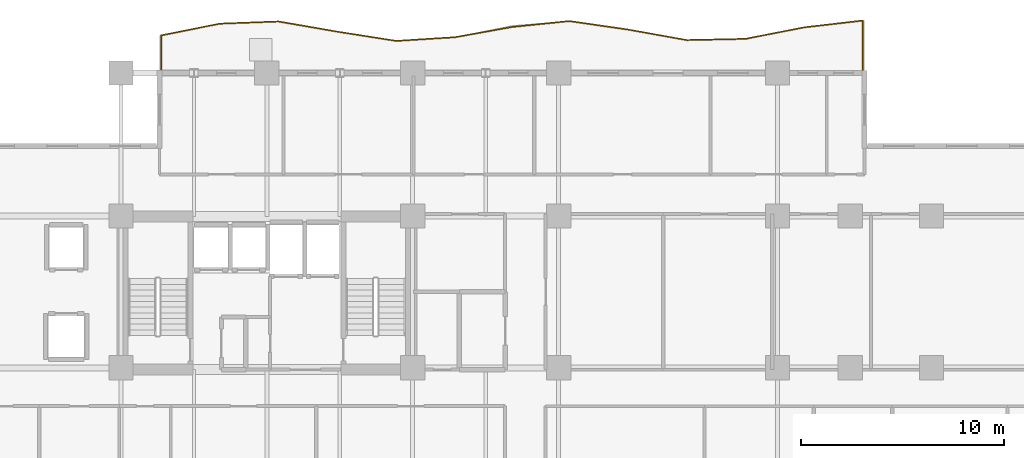
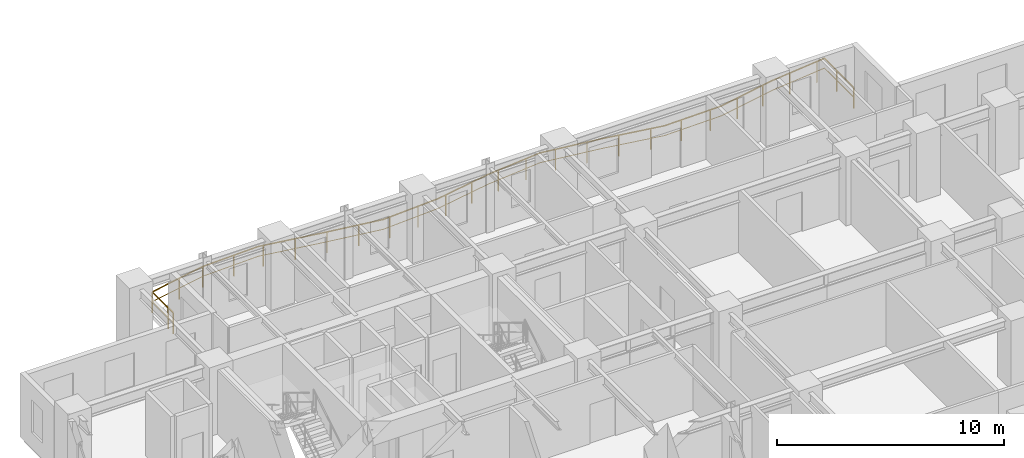
# One storey, part 11 of 11: 1 railing.
"""IFC4 building model written with IfcOpenShell, lengths in metres."""

import ifcopenshell
import ifcopenshell.guid

model = None  # the IFC model being written
_history = None  # IfcOwnerHistory: only IFC2X3 demands one
_inside = {}  # id of a spatial element -> (the spatial element, [elements in it])
_under = {}  # id of a project, library or spatial element -> (it, [spatial elements below it])
_declared = {}  # id of a project -> (the project, [libraries it declares])
_typed = {}  # id of a type object -> (the type object, [elements of that type])
_made_of = {}  # id of a material, layer set ... -> (it, [elements and type objects made of it])


def new_model(schema):
    """Start an empty IFC model of exactly this schema.

    Asked for "IFC4X3", IfcOpenShell would pick the latest addendum, in which some entities
    have other attributes; the version numbers below select the first issue.
    IFC2X3 requires an IfcOwnerHistory on every rooted entity: one is made here for all.
    """
    global model, _history
    if schema == "IFC4X3":
        model = ifcopenshell.file(schema_version=(4, 3, 0, 0))
    else:
        model = ifcopenshell.file(schema=schema)
    _inside.clear()
    _under.clear()
    _declared.clear()
    _typed.clear()
    _made_of.clear()
    _history = None
    if model.schema == "IFC2X3":
        org = make("IfcOrganization", Name="unknown")
        user = make(
            "IfcPersonAndOrganization",
            ThePerson=make("IfcPerson", FamilyName="unknown"),
            TheOrganization=org,
        )
        app = make(
            "IfcApplication",
            ApplicationDeveloper=org,
            Version="unknown",
            ApplicationFullName="unknown",
            ApplicationIdentifier="unknown",
        )
        _history = make(
            "IfcOwnerHistory",
            OwningUser=user,
            OwningApplication=app,
            ChangeAction="ADDED",
            CreationDate=0,
        )
    return model


def make(cls, **values):
    """One entity of the class cls with the attributes given. An attribute that is None is left unset."""
    return model.create_entity(
        cls, **{name: value for name, value in values.items() if value is not None}
    )


def rooted(cls, **values):
    """An entity with a GlobalId (a new one), such as an element, a storey or a relation."""
    return make(cls, GlobalId=ifcopenshell.guid.new(), OwnerHistory=_history, **values)


def si_unit(unit_type, name, prefix=None):
    """IfcSIUnit, for example si_unit("LENGTHUNIT", "METRE", prefix="MILLI")."""
    return make("IfcSIUnit", UnitType=unit_type, Prefix=prefix, Name=name)


def assignment(units):
    """IfcUnitAssignment: the units of a project."""
    return None if units is None else make("IfcUnitAssignment", Units=units)


def point(xyz):
    """IfcCartesianPoint."""
    return None if xyz is None else make("IfcCartesianPoint", Coordinates=xyz)


def direction(xyz):
    """IfcDirection."""
    return None if xyz is None else make("IfcDirection", DirectionRatios=xyz)


def frame(location, z_axis=None, x_axis=None):
    """IfcAxis2Placement3D, a coordinate frame: its origin and axes. An axis left out is left unset."""
    return make(
        "IfcAxis2Placement3D",
        Location=point(location),
        Axis=direction(z_axis),
        RefDirection=direction(x_axis),
    )


def frame_2d(location, x_axis=None):
    """IfcAxis2Placement2D, a coordinate frame in the plane: its origin and x axis."""
    return make(
        "IfcAxis2Placement2D", Location=point(location), RefDirection=direction(x_axis)
    )


def origin():
    """The frame at (0, 0, 0) with its axes left unset."""
    return frame((0.0, 0.0, 0.0))


def origin_2d():
    """The frame at (0, 0) in the plane with its x axis left unset."""
    return frame_2d((0.0, 0.0))


def place(relative_to, where):
    """IfcLocalPlacement: puts the frame where relative to a parent placement (None: the world)."""
    return make(
        "IfcLocalPlacement", PlacementRelTo=relative_to, RelativePlacement=where
    )


def context(
    kind, dimensions, precision=None, world=None, true_north=None, identifier=None
):
    """IfcGeometricRepresentationContext, for example the 3D "Model" context."""
    return make(
        "IfcGeometricRepresentationContext",
        ContextIdentifier=identifier,
        ContextType=kind,
        CoordinateSpaceDimension=dimensions,
        Precision=precision,
        WorldCoordinateSystem=world,
        TrueNorth=true_north,
    )


def subcontext(parent, identifier, kind, view, scale=None):
    """IfcGeometricRepresentationSubContext, for example "Body" below "Model"."""
    return make(
        "IfcGeometricRepresentationSubContext",
        ContextIdentifier=identifier,
        ContextType=kind,
        ParentContext=parent,
        TargetScale=scale,
        TargetView=view,
    )


def project(units=None, contexts=None):
    """IfcProject with its units and contexts."""
    return rooted(
        "IfcProject",
        Name="project",
        RepresentationContexts=contexts,
        UnitsInContext=assignment(units),
    )


def spatial(cls, under=None, at=None, **own):
    """A site, building, storey or space (cls), placed at a placement, below another one or the project."""
    s = rooted(cls, ObjectPlacement=at, **own)
    if under is not None:
        _under.setdefault(under.id(), (under, []))[1].append(s)
    return s


def profile(cls, at=None, kind="AREA", **sizes):
    """A parametric profile (cls). Its sizes go by their IFC names, for example OverallWidth=200.0."""
    return make(cls, ProfileType=kind, Position=at, **sizes)


def rectangle(**sizes):
    """IfcRectangleProfileDef."""
    return profile("IfcRectangleProfileDef", **sizes)


def extrude(swept, where, along, depth):
    """IfcExtrudedAreaSolid: the profile swept, set in the frame where, extruded along a direction by depth."""
    return make(
        "IfcExtrudedAreaSolid",
        SweptArea=swept,
        Position=where,
        ExtrudedDirection=direction(along),
        Depth=depth,
    )


def shape(context_of_items, identifier, shape_type, items):
    """IfcShapeRepresentation: the items that make up one representation, for example the "Body"."""
    return make(
        "IfcShapeRepresentation",
        ContextOfItems=context_of_items,
        RepresentationIdentifier=identifier,
        RepresentationType=shape_type,
        Items=items,
    )


def material(Name=None, Category=None):
    """IfcMaterial."""
    return make("IfcMaterial", Name=Name, Category=Category)


def made_of(thing, what):
    """Note that an element or type object is made of a material, layer set ...; save() writes the relation."""
    if what is not None:
        _made_of.setdefault(what.id(), (what, []))[1].append(thing)
    return thing


def type_object(cls, material=None, **own):
    """A type object (cls), such as IfcWallType, which elements share."""
    return made_of(rooted(cls, **own), material)


def element(
    cls,
    number,
    at=None,
    inside=None,
    cuts=None,
    type_object=None,
    material=None,
    context=None,
    identifier="Body",
    shape_type=None,
    held_by="IfcProductDefinitionShape",
    body=None,
    shapes=None,
    **own,
):
    """One element of the class cls, such as IfcWall. Its Tag is "e" and its number.

    at: its placement. inside: the storey or other place that contains it. cuts: it is an
    opening in that element (IfcRelVoidsElement). A single representation is given by context,
    identifier, shape_type and body (its items); several are given by shapes. held_by: the class
    of the entity that holds the representations. save() writes the other relations.
    """
    e = rooted(cls, Tag="e%d" % number, ObjectPlacement=at, **own)
    if body is not None:
        shapes = [shape(context, identifier, shape_type, body)]
    if shapes is not None:
        e.Representation = make(held_by, Representations=shapes)
    if inside is not None:
        _inside.setdefault(inside.id(), (inside, []))[1].append(e)
    if cuts is not None:
        rooted(
            "IfcRelVoidsElement", RelatingBuildingElement=cuts, RelatedOpeningElement=e
        )
    if type_object is not None:
        _typed.setdefault(type_object.id(), (type_object, []))[1].append(e)
    return made_of(e, material)


def aggregate(whole, parts):
    """IfcRelAggregates: a whole, such as a stair, and the parts it consists of."""
    return rooted("IfcRelAggregates", RelatingObject=whole, RelatedObjects=parts)


def save(model, path):
    """Write the relations noted so far, then the file.

    IfcRelAggregates (storeys below a building ...), IfcRelContainedInSpatialStructure (elements
    in a storey), IfcRelDefinesByType, IfcRelAssociatesMaterial and IfcRelDeclares: one each for
    every whole, place, type object, material and project.
    """
    for whole, parts in _under.values():
        aggregate(whole, parts)
    for where, things in _inside.values():
        rooted(
            "IfcRelContainedInSpatialStructure",
            RelatedElements=things,
            RelatingStructure=where,
        )
    for kind, things in _typed.values():
        rooted("IfcRelDefinesByType", RelatedObjects=things, RelatingType=kind)
    for what, things in _made_of.values():
        rooted("IfcRelAssociatesMaterial", RelatedObjects=things, RelatingMaterial=what)
    for by, libraries in _declared.values():
        rooted("IfcRelDeclares", RelatingContext=by, RelatedDefinitions=libraries)
    model.write(path)


model = new_model("IFC4")

# Units and contexts
model_context = context("Model", 3, precision=1e-05, world=origin(), true_north=direction((0.0, 1.0)))
body_context = subcontext(model_context, "Body", "Model", "MODEL_VIEW")
ifc_project = project(units=[si_unit("LENGTHUNIT", "METRE"), si_unit("AREAUNIT", "SQUARE_METRE"), si_unit("VOLUMEUNIT", "CUBIC_METRE"), si_unit("PLANEANGLEUNIT", "RADIAN"), si_unit("MASSUNIT", "GRAM", prefix="KILO")], contexts=[model_context])

# Site, building, storey
site_placement = place(None, origin())
site = spatial("IfcSite", under=ifc_project, at=site_placement, CompositionType="ELEMENT")
building_placement = place(site_placement, origin())
building = spatial("IfcBuilding", under=site, at=building_placement, Name="Kaliganga Portal Commons", CompositionType="ELEMENT")
storey_placement = place(building_placement, frame((0.0, 0.0, 111.89990234375)))
storey = spatial("IfcBuildingStorey", under=building, at=storey_placement, Name="L28", CompositionType="ELEMENT", Elevation=111.89990234375)

# Railing
ifc_material = material(Name="Laminated Safety Glass and Stainless Steel 316", Category="steel")
railing_type = type_object("IfcRailingType", Name="RLG-BAL-1150", PredefinedType="BALUSTRADE", material=ifc_material)
railing_placement = place(storey_placement, frame((51.0205078125, 43.20849609375, 0.0)))
element("IfcRailing", 1, at=railing_placement, inside=storey, type_object=railing_type, Name="Balcony Guardrail L28 balc_north", PredefinedType="BALUSTRADE", context=body_context, shape_type="SweptSolid", body=[
    extrude(rectangle(XDim=0.048095703125, YDim=0.048095703125, at=origin_2d()), frame((0.0, 0.0, 1.1259765625), z_axis=(-0.000188679242, 0.9999999822, 0.0), x_axis=(-0.9999999822, -0.000188679242, 0.0)), (0.0, 0.0, 1.0), 2.587890625),
    extrude(rectangle(XDim=0.028076171875, YDim=0.028076171875, at=origin_2d()), frame((0.0, 0.0, 0.597900390625), z_axis=(-0.000188679242, 0.9999999822, 0.0), x_axis=(-0.9999999822, -0.000188679242, 0.0)), (0.0, 0.0, 1.0), 2.587890625),
    extrude(rectangle(XDim=0.048095703125, YDim=0.048095703125, at=origin_2d()), frame((-0.00048828125, 2.587890625, 1.1259765625), z_axis=(-0.993356824313, -0.115074843429, 0.0), x_axis=(0.115074843429, -0.993356824313, 0.0)), (0.0, 0.0, 1.0), 2.919189453125),
    extrude(rectangle(XDim=0.028076171875, YDim=0.028076171875, at=origin_2d()), frame((-0.00048828125, 2.587890625, 0.597900390625), z_axis=(-0.993356824313, -0.115074843429, 0.0), x_axis=(0.115074843429, -0.993356824313, 0.0)), (0.0, 0.0, 1.0), 2.919189453125),
    extrude(rectangle(XDim=0.048095703125, YDim=0.048095703125, at=origin_2d()), frame((-2.900390625, 2.251953125, 1.1259765625), z_axis=(-0.981301513989, -0.192476852226, 0.0), x_axis=(0.192476852226, -0.981301513989, 0.0)), (0.0, 0.0, 1.0), 2.955322265625),
    extrude(rectangle(XDim=0.028076171875, YDim=0.028076171875, at=origin_2d()), frame((-2.900390625, 2.251953125, 0.597900390625), z_axis=(-0.981301513989, -0.192476852226, 0.0), x_axis=(0.192476852226, -0.981301513989, 0.0)), (0.0, 0.0, 1.0), 2.955322265625),
    extrude(rectangle(XDim=0.048095703125, YDim=0.048095703125, at=origin_2d()), frame((-5.800537109375, 1.68310546875, 1.1259765625), z_axis=(-0.999778578842, -0.021042654042, 0.0), x_axis=(0.021042654042, -0.999778578842, 0.0)), (0.0, 0.0, 1.0), 2.900634765625),
    extrude(rectangle(XDim=0.028076171875, YDim=0.028076171875, at=origin_2d()), frame((-5.800537109375, 1.68310546875, 0.597900390625), z_axis=(-0.999778578842, -0.021042654042, 0.0), x_axis=(0.021042654042, -0.999778578842, 0.0)), (0.0, 0.0, 1.0), 2.900634765625),
    extrude(rectangle(XDim=0.048095703125, YDim=0.048095703125, at=origin_2d()), frame((-8.700439453125, 1.6220703125, 1.1259765625), z_axis=(-0.98412606857, 0.177470789601, 0.0), x_axis=(-0.177470789601, -0.98412606857, 0.0)), (0.0, 0.0, 1.0), 2.94677734375),
    extrude(rectangle(XDim=0.028076171875, YDim=0.028076171875, at=origin_2d()), frame((-8.700439453125, 1.6220703125, 0.597900390625), z_axis=(-0.98412606857, 0.177470789601, 0.0), x_axis=(-0.177470789601, -0.98412606857, 0.0)), (0.0, 0.0, 1.0), 2.94677734375),
    extrude(rectangle(XDim=0.048095703125, YDim=0.048095703125, at=origin_2d()), frame((-11.600341796875, 2.14501953125, 1.1259765625), z_axis=(-0.989896041483, 0.141795017739, 0.0), x_axis=(-0.141795017739, -0.989896041483, 0.0)), (0.0, 0.0, 1.0), 2.927001953125),
    extrude(rectangle(XDim=0.028076171875, YDim=0.028076171875, at=origin_2d()), frame((-11.600341796875, 2.14501953125, 0.597900390625), z_axis=(-0.989896041483, 0.141795017739, 0.0), x_axis=(-0.141795017739, -0.989896041483, 0.0)), (0.0, 0.0, 1.0), 2.927001953125),
    extrude(rectangle(XDim=0.048095703125, YDim=0.048095703125, at=origin_2d()), frame((-14.497802734375, 2.56005859375, 1.1259765625), z_axis=(-0.994806264144, -0.101786525729, 0.0), x_axis=(0.101786525729, -0.994806264144, 0.0)), (0.0, 0.0, 1.0), 2.83740234375),
    extrude(rectangle(XDim=0.028076171875, YDim=0.028076171875, at=origin_2d()), frame((-14.497802734375, 2.56005859375, 0.597900390625), z_axis=(-0.994806264144, -0.101786525729, 0.0), x_axis=(0.101786525729, -0.994806264144, 0.0)), (0.0, 0.0, 1.0), 2.83740234375),
    extrude(rectangle(XDim=0.048095703125, YDim=0.048095703125, at=origin_2d()), frame((-17.320556640625, 2.271240234375, 1.1259765625), z_axis=(-0.98412652958, -0.17746823315, 0.0), x_axis=(0.17746823315, -0.98412652958, 0.0)), (0.0, 0.0, 1.0), 2.865478515625),
    extrude(rectangle(XDim=0.028076171875, YDim=0.028076171875, at=origin_2d()), frame((-17.320556640625, 2.271240234375, 0.597900390625), z_axis=(-0.98412652958, -0.17746823315, 0.0), x_axis=(0.17746823315, -0.98412652958, 0.0)), (0.0, 0.0, 1.0), 2.865478515625),
    extrude(rectangle(XDim=0.048095703125, YDim=0.048095703125, at=origin_2d()), frame((-20.140625, 1.7626953125, 1.1259765625), z_axis=(-0.998059764727, -0.062263199669, 0.0), x_axis=(0.062263199669, -0.998059764727, 0.0)), (0.0, 0.0, 1.0), 2.905517578125),
    extrude(rectangle(XDim=0.028076171875, YDim=0.028076171875, at=origin_2d()), frame((-20.140625, 1.7626953125, 0.597900390625), z_axis=(-0.998059764727, -0.062263199669, 0.0), x_axis=(0.062263199669, -0.998059764727, 0.0)), (0.0, 0.0, 1.0), 2.905517578125),
    extrude(rectangle(XDim=0.048095703125, YDim=0.048095703125, at=origin_2d()), frame((-23.04052734375, 1.581787109375, 1.1259765625), z_axis=(-0.9877818378, 0.155843000845, 0.0), x_axis=(-0.155843000845, -0.9877818378, 0.0)), (0.0, 0.0, 1.0), 2.935791015625),
    extrude(rectangle(XDim=0.028076171875, YDim=0.028076171875, at=origin_2d()), frame((-23.04052734375, 1.581787109375, 0.597900390625), z_axis=(-0.9877818378, 0.155843000845, 0.0), x_axis=(-0.155843000845, -0.9877818378, 0.0)), (0.0, 0.0, 1.0), 2.935791015625),
    extrude(rectangle(XDim=0.048095703125, YDim=0.048095703125, at=origin_2d()), frame((-25.9404296875, 2.039306640625, 1.1259765625), z_axis=(-0.985324763946, 0.170690097997, 0.0), x_axis=(-0.170690097997, -0.985324763946, 0.0)), (0.0, 0.0, 1.0), 2.943603515625),
    extrude(rectangle(XDim=0.028076171875, YDim=0.028076171875, at=origin_2d()), frame((-25.9404296875, 2.039306640625, 0.597900390625), z_axis=(-0.985324763946, 0.170690097997, 0.0), x_axis=(-0.170690097997, -0.985324763946, 0.0)), (0.0, 0.0, 1.0), 2.943603515625),
    extrude(rectangle(XDim=0.048095703125, YDim=0.048095703125, at=origin_2d()), frame((-28.8408203125, 2.541748046875, 1.1259765625), z_axis=(-0.999292645016, -0.037605978475, 0.0), x_axis=(0.037605978475, -0.999292645016, 0.0)), (0.0, 0.0, 1.0), 2.90185546875),
    extrude(rectangle(XDim=0.028076171875, YDim=0.028076171875, at=origin_2d()), frame((-28.8408203125, 2.541748046875, 0.597900390625), z_axis=(-0.999292645016, -0.037605978475, 0.0), x_axis=(0.037605978475, -0.999292645016, 0.0)), (0.0, 0.0, 1.0), 2.90185546875),
    extrude(rectangle(XDim=0.048095703125, YDim=0.048095703125, at=origin_2d()), frame((-31.74072265625, 2.4326171875, 1.1259765625), z_axis=(-0.980621932886, -0.195909736213, 0.0), x_axis=(0.195909736213, -0.980621932886, 0.0)), (0.0, 0.0, 1.0), 2.957275390625),
    extrude(rectangle(XDim=0.028076171875, YDim=0.028076171875, at=origin_2d()), frame((-31.74072265625, 2.4326171875, 0.597900390625), z_axis=(-0.980621932886, -0.195909736213, 0.0), x_axis=(0.195909736213, -0.980621932886, 0.0)), (0.0, 0.0, 1.0), 2.957275390625),
    extrude(rectangle(XDim=0.048095703125, YDim=0.048095703125, at=origin_2d()), frame((-34.640625, 1.853271484375, 1.1259765625), z_axis=(-0.000131734948, -0.999999991323, 0.0), x_axis=(0.999999991323, -0.000131734948, 0.0)), (0.0, 0.0, 1.0), 1.853271484375),
    extrude(rectangle(XDim=0.028076171875, YDim=0.028076171875, at=origin_2d()), frame((-34.640625, 1.853271484375, 0.597900390625), z_axis=(-0.000131734948, -0.999999991323, 0.0), x_axis=(0.999999991323, -0.000131734948, 0.0)), (0.0, 0.0, 1.0), 1.853271484375),
    extrude(rectangle(XDim=0.0419921875, YDim=0.0419921875, at=origin_2d()), origin(), (0.0, 0.0, 1.0), 1.101806640625),
    extrude(rectangle(XDim=0.0419921875, YDim=0.0419921875, at=origin_2d()), frame((-0.000244140625, 1.5, 0.0)), (0.0, 0.0, 1.0), 1.101806640625),
    extrude(rectangle(XDim=0.0419921875, YDim=0.0419921875, at=origin_2d()), frame((-0.409912109375, 2.54052734375, 0.0)), (0.0, 0.0, 1.0), 1.101806640625),
    extrude(rectangle(XDim=0.0419921875, YDim=0.0419921875, at=origin_2d()), frame((-1.89990234375, 2.367919921875, 0.0)), (0.0, 0.0, 1.0), 1.101806640625),
    extrude(rectangle(XDim=0.0419921875, YDim=0.0419921875, at=origin_2d()), frame((-3.384033203125, 2.156982421875, 0.0)), (0.0, 0.0, 1.0), 1.101806640625),
    extrude(rectangle(XDim=0.0419921875, YDim=0.0419921875, at=origin_2d()), frame((-4.85595703125, 1.868408203125, 0.0)), (0.0, 0.0, 1.0), 1.101806640625),
    extrude(rectangle(XDim=0.0419921875, YDim=0.0419921875, at=origin_2d()), frame((-6.337890625, 1.671875, 0.0)), (0.0, 0.0, 1.0), 1.101806640625),
    extrude(rectangle(XDim=0.0419921875, YDim=0.0419921875, at=origin_2d()), frame((-7.83740234375, 1.64013671875, 0.0)), (0.0, 0.0, 1.0), 1.101806640625),
    extrude(rectangle(XDim=0.0419921875, YDim=0.0419921875, at=origin_2d()), frame((-9.3271484375, 1.735107421875, 0.0)), (0.0, 0.0, 1.0), 1.101806640625),
    extrude(rectangle(XDim=0.0419921875, YDim=0.0419921875, at=origin_2d()), frame((-10.803466796875, 2.001220703125, 0.0)), (0.0, 0.0, 1.0), 1.101806640625),
    extrude(rectangle(XDim=0.0419921875, YDim=0.0419921875, at=origin_2d()), frame((-12.283447265625, 2.242919921875, 0.0)), (0.0, 0.0, 1.0), 1.101806640625),
    extrude(rectangle(XDim=0.0419921875, YDim=0.0419921875, at=origin_2d()), frame((-13.768310546875, 2.45556640625, 0.0)), (0.0, 0.0, 1.0), 1.101806640625),
    extrude(rectangle(XDim=0.0419921875, YDim=0.0419921875, at=origin_2d()), frame((-15.257080078125, 2.482421875, 0.0)), (0.0, 0.0, 1.0), 1.101806640625),
    extrude(rectangle(XDim=0.0419921875, YDim=0.0419921875, at=origin_2d()), frame((-16.749267578125, 2.32958984375, 0.0)), (0.0, 0.0, 1.0), 1.101806640625),
    extrude(rectangle(XDim=0.0419921875, YDim=0.0419921875, at=origin_2d()), frame((-18.2314453125, 2.10693359375, 0.0)), (0.0, 0.0, 1.0), 1.101806640625),
    extrude(rectangle(XDim=0.0419921875, YDim=0.0419921875, at=origin_2d()), frame((-19.707763671875, 1.8408203125, 0.0)), (0.0, 0.0, 1.0), 1.101806640625),
    extrude(rectangle(XDim=0.0419921875, YDim=0.0419921875, at=origin_2d()), frame((-21.19873046875, 1.69677734375, 0.0)), (0.0, 0.0, 1.0), 1.101806640625),
    extrude(rectangle(XDim=0.0419921875, YDim=0.0419921875, at=origin_2d()), frame((-22.69580078125, 1.603271484375, 0.0)), (0.0, 0.0, 1.0), 1.101806640625),
    extrude(rectangle(XDim=0.0419921875, YDim=0.0419921875, at=origin_2d()), frame((-24.180908203125, 1.76171875, 0.0)), (0.0, 0.0, 1.0), 1.101806640625),
    extrude(rectangle(XDim=0.0419921875, YDim=0.0419921875, at=origin_2d()), frame((-25.66259765625, 1.995361328125, 0.0)), (0.0, 0.0, 1.0), 1.101806640625),
    extrude(rectangle(XDim=0.0419921875, YDim=0.0419921875, at=origin_2d()), frame((-27.141357421875, 2.247314453125, 0.0)), (0.0, 0.0, 1.0), 1.101806640625),
    extrude(rectangle(XDim=0.0419921875, YDim=0.0419921875, at=origin_2d()), frame((-28.619384765625, 2.50341796875, 0.0)), (0.0, 0.0, 1.0), 1.101806640625),
    extrude(rectangle(XDim=0.0419921875, YDim=0.0419921875, at=origin_2d()), frame((-30.115234375, 2.493896484375, 0.0)), (0.0, 0.0, 1.0), 1.101806640625),
    extrude(rectangle(XDim=0.0419921875, YDim=0.0419921875, at=origin_2d()), frame((-31.74072265625, 2.4326171875, 0.0)), (0.0, 0.0, 1.0), 1.101806640625),
    extrude(rectangle(XDim=0.0419921875, YDim=0.0419921875, at=origin_2d()), frame((-33.08740234375, 2.16357421875, 0.0)), (0.0, 0.0, 1.0), 1.101806640625),
    extrude(rectangle(XDim=0.0419921875, YDim=0.0419921875, at=origin_2d()), frame((-34.640625, 1.853271484375, 0.0)), (0.0, 0.0, 1.0), 1.101806640625),
    extrude(rectangle(XDim=0.0419921875, YDim=0.0419921875, at=origin_2d()), frame((-34.640869140625, 0.437255859375, 0.0)), (0.0, 0.0, 1.0), 1.101806640625),
    extrude(rectangle(XDim=0.0419921875, YDim=0.0419921875, at=origin_2d()), frame((-34.640869140625, 0.0, 0.0)), (0.0, 0.0, 1.0), 1.101806640625),
])

save(model, "model.ifc")
